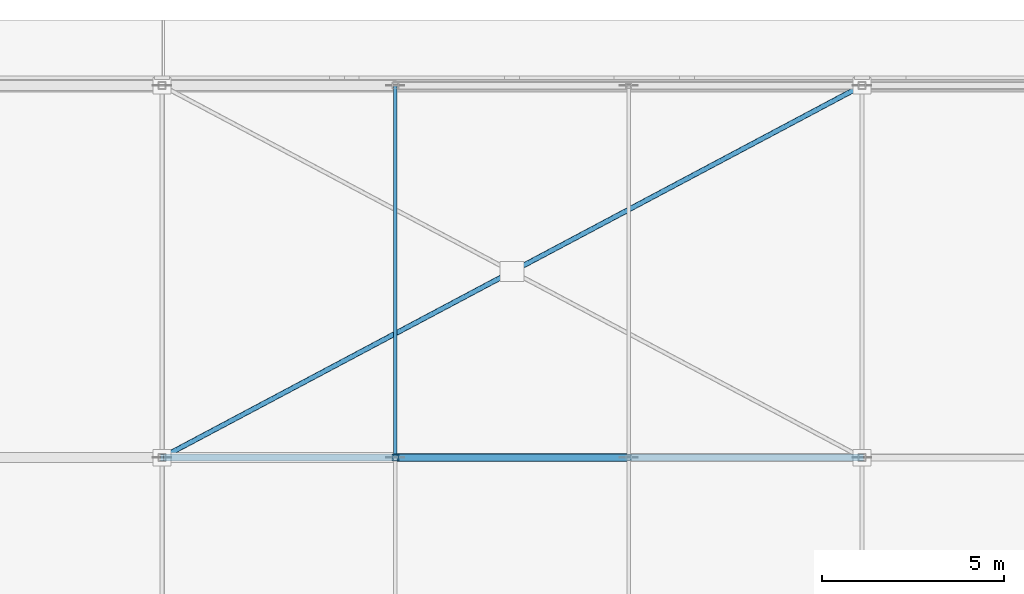
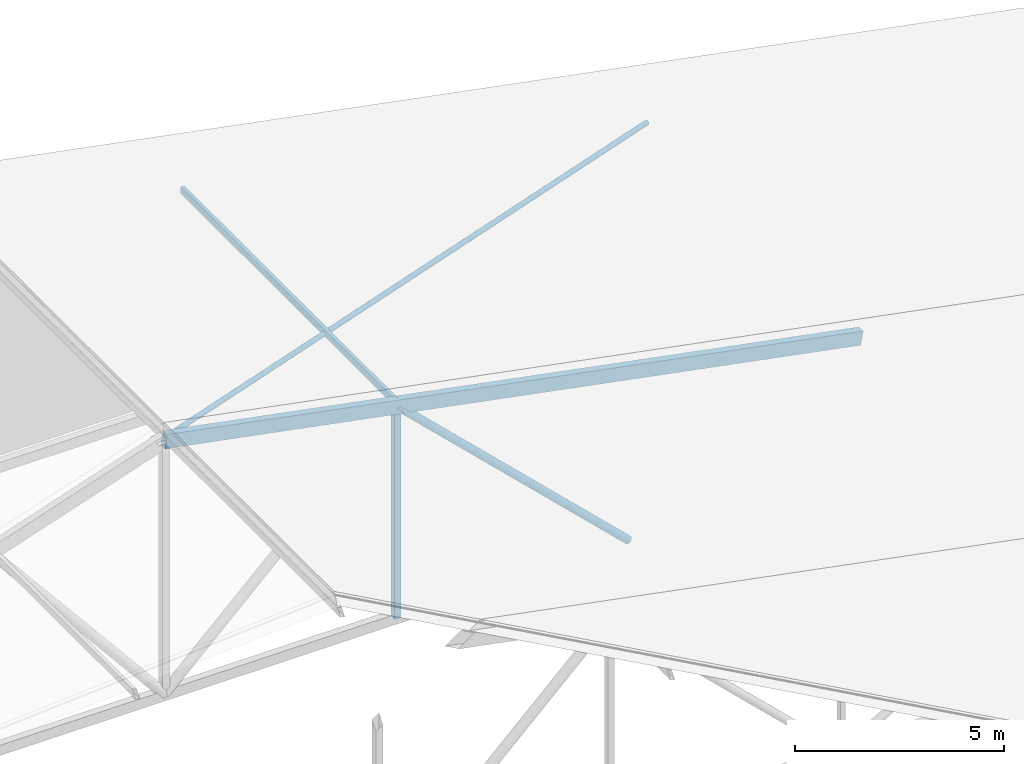
# One storey, part 71 of 200: 5 members.
"""IFC4 building model written with IfcOpenShell, lengths in metres."""

from ifc_helpers import new_model, si_unit, direction, frame, origin, origin_2d, place, context, subcontext, project, spatial, hollow_rectangle, hollow_circle, extrude, material, material_profile, profile_set, type_object, element, save


model = new_model("IFC4")

# Units and contexts
model_context = context("Model", 3, precision=1e-05, world=origin(), true_north=direction((0.0, 1.0)))
body_context = subcontext(model_context, "Body", "Model", "MODEL_VIEW")
ifc_project = project(units=[si_unit("LENGTHUNIT", "METRE"), si_unit("AREAUNIT", "SQUARE_METRE"), si_unit("VOLUMEUNIT", "CUBIC_METRE"), si_unit("PLANEANGLEUNIT", "RADIAN"), si_unit("MASSUNIT", "GRAM", prefix="KILO")], contexts=[model_context])

# Site, building, storey
site_placement = place(None, origin())
site = spatial("IfcSite", under=ifc_project, at=site_placement, CompositionType="ELEMENT")
building_placement = place(site_placement, origin())
building = spatial("IfcBuilding", under=site, at=building_placement, Name="Vondelvale Polytechnic", CompositionType="ELEMENT")
storey_placement = place(building_placement, frame((0.0, 0.0, 13.800048828125)))
storey = spatial("IfcBuildingStorey", under=building, at=storey_placement, Name="L03", CompositionType="ELEMENT", Elevation=13.800048828125)

# Members
ifc_material = material(Name="Steel C350L0 (fy = 350 MPa)", Category="steel")
ifc_material_profile_1 = material_profile(ifc_material, hollow_rectangle(XDim=0.10009765625, YDim=0.199951171875, WallThickness=0.006103515625, at=origin_2d()), Name="200x100x6.0RHS")
ifc_profile_set_1 = profile_set([ifc_material_profile_1], Name="Steel C350L0 (fy = 350 MPa)")
member_type_1 = type_object("IfcMemberType", Name="PURLIN RHS200", PredefinedType="PURLIN", material=ifc_profile_set_1)
member_1_placement = place(storey_placement, frame((16.0, 112.199951171875, 5.847900390625), z_axis=(0.0, 1.0, 0.0), x_axis=(-1.0, 0.0, 0.0)))
element("IfcMember", 1, at=member_1_placement, inside=storey, type_object=member_type_1, Name="Workshop roof purlin bay 7", PredefinedType="PURLIN", context=body_context, shape_type="SweptSolid", body=[
    extrude(hollow_rectangle(XDim=0.10009765625, YDim=0.199951171875, WallThickness=0.006103515625, at=origin_2d()), origin(), (0.0, 0.0, 1.0), 10.199951171875),
])
ifc_material_profile_2 = material_profile(ifc_material, hollow_circle(Radius=0.06982421875, WallThickness=0.0048828125, at=origin_2d()), Name="139.7x5.0CHS")
ifc_profile_set_2 = profile_set([ifc_material_profile_2], Name="Steel C350L0 (fy = 350 MPa)")
member_type_2 = type_object("IfcMemberType", Name="ROOF BRACE 139CHS", PredefinedType="BRACE", material=ifc_profile_set_2)
member_2_placement = place(storey_placement, frame((9.60009765625, 112.199951171875, 7.02001953125), z_axis=(0.870599027727, 0.462504695642, -0.167769900248), x_axis=(-0.469154404922, 0.883116155634, 0.0)))
element("IfcMember", 2, at=member_2_placement, inside=storey, type_object=member_type_2, Name="Workshop continuous roof wind brace 7A", PredefinedType="BRACE", context=body_context, shape_type="SweptSolid", body=[
    extrude(hollow_circle(Radius=0.06982421875, WallThickness=0.0048828125, at=origin_2d()), origin(), (0.0, 0.0, 1.0), 22.0537109375),
])
ifc_material_profile_3 = material_profile(ifc_material, hollow_circle(Radius=0.109619140625, WallThickness=0.00830078125, at=origin_2d()), Name="219.1x8.2CHS")
ifc_profile_set_3 = profile_set([ifc_material_profile_3], Name="Steel C350L0 (fy = 350 MPa)")
member_type_3 = type_object("IfcMemberType", Name="ROOF TRUSS BRACE 219CHS", PredefinedType="BRACE", material=ifc_profile_set_3)
member_3_placement = place(storey_placement, frame((16.0, 112.199951171875, 5.74658203125), z_axis=(0.720102098263, 0.0, -0.69386812009), x_axis=(0.0, 1.0, 0.0)))
element("IfcMember", 3, at=member_3_placement, inside=storey, type_object=member_type_3, Name="ROOF TRUSS TR-07 web diagonal 4", PredefinedType="BRACE", context=body_context, shape_type="SweptSolid", body=[
    extrude(hollow_circle(Radius=0.109619140625, WallThickness=0.00830078125, at=origin_2d()), origin(), (0.0, 0.0, 1.0), 8.887451171875),
])
ifc_material_profile_4 = material_profile(ifc_material, hollow_rectangle(XDim=0.175048828125, YDim=0.175048828125, WallThickness=0.006103515625, at=origin_2d()), Name="175x175x6.0SHS")
ifc_profile_set_4 = profile_set([ifc_material_profile_4], Name="Steel C350L0 (fy = 350 MPa)")
member_type_4 = type_object("IfcMemberType", Name="ROOF TRUSS POST 175SHS", PredefinedType="POST", material=ifc_profile_set_4)
member_4_placement = place(storey_placement, frame((16.0, 112.199951171875, -0.420166015625), z_axis=(0.0, 0.0, 1.0), x_axis=(1.0, 0.0, 0.0)))
element("IfcMember", 4, at=member_4_placement, inside=storey, type_object=member_type_4, Name="ROOF TRUSS TR-07 vertical post 3", PredefinedType="POST", context=body_context, shape_type="SweptSolid", body=[
    extrude(hollow_rectangle(XDim=0.175048828125, YDim=0.175048828125, WallThickness=0.006103515625, at=origin_2d()), origin(), (0.0, 0.0, 1.0), 6.166748046875),
])
ifc_material_profile_5 = material_profile(ifc_material, hollow_rectangle(XDim=0.199951171875, YDim=0.39990234375, WallThickness=0.010009765625, at=origin_2d()), Name="400x200x10.0RHS")
ifc_profile_set_5 = profile_set([ifc_material_profile_5], Name="Steel C350L0 (fy = 350 MPa)")
member_type_5 = type_object("IfcMemberType", Name="ROOF TRUSS TOP CHORD 400RHS", PredefinedType="CHORD", material=ifc_profile_set_5)
member_5_placement = place(storey_placement, frame((9.60009765625, 112.199951171875, 6.97998046875), z_axis=(0.981933791982, 0.0, -0.189224808533), x_axis=(0.0, 1.0, 0.0)))
element("IfcMember", 5, at=member_5_placement, inside=storey, type_object=member_type_5, Name="ROOF TRUSS TR-07 top chord 3", PredefinedType="CHORD", context=body_context, shape_type="SweptSolid", body=[
    extrude(hollow_rectangle(XDim=0.199951171875, YDim=0.39990234375, WallThickness=0.010009765625, at=origin_2d()), origin(), (0.0, 0.0, 1.0), 19.55322265625),
])

save(model, "model.ifc")
